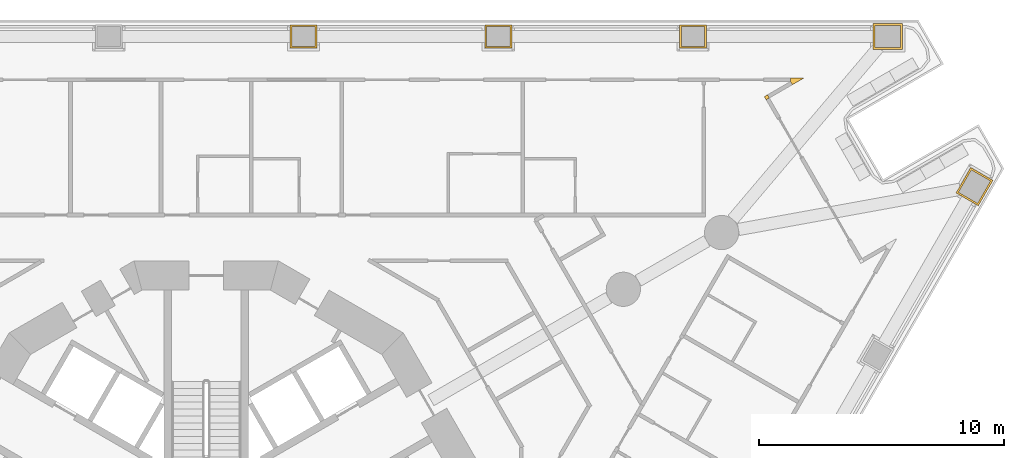
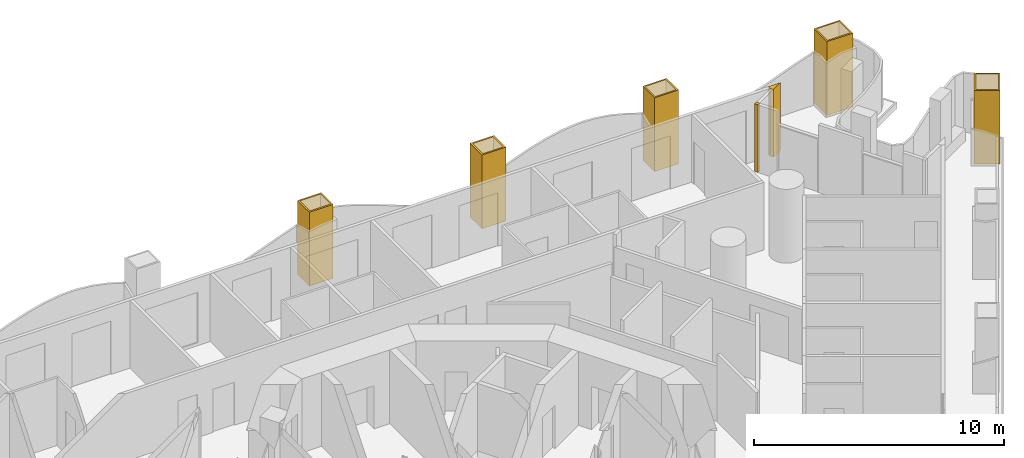
# One storey, part 19 of 20: 7 coverings.
"""IFC4 building model written with IfcOpenShell, lengths in metres."""

from ifc_helpers import new_model, si_unit, direction, frame, origin, place, context, subcontext, project, spatial, polyline, outline, extrude, material, layer, layer_set, type_object, element, save


model = new_model("IFC4")

# Units and contexts
model_context = context("Model", 3, precision=1e-05, world=origin(), true_north=direction((0.0, 1.0)))
body_context = subcontext(model_context, "Body", "Model", "MODEL_VIEW")
ifc_project = project(units=[si_unit("LENGTHUNIT", "METRE"), si_unit("AREAUNIT", "SQUARE_METRE"), si_unit("VOLUMEUNIT", "CUBIC_METRE"), si_unit("PLANEANGLEUNIT", "RADIAN"), si_unit("MASSUNIT", "GRAM", prefix="KILO")], contexts=[model_context])

# Site, building, storey
site_placement = place(None, origin())
site = spatial("IfcSite", under=ifc_project, at=site_placement, CompositionType="ELEMENT")
building_placement = place(site_placement, origin())
building = spatial("IfcBuilding", under=site, at=building_placement, Name="Trine Commons Tower", CompositionType="ELEMENT")
storey_placement = place(building_placement, frame((0.0, 0.0, 38.699951171875)))
storey = spatial("IfcBuildingStorey", under=building, at=storey_placement, Name="L08", CompositionType="ELEMENT", Elevation=38.699951171875)

# Coverings
ifc_material_1 = material(Name="Aluminium-framed insulated wall panel", Category="aluminium")
ifc_layer_1 = layer(ifc_material_1, 0.14990234375)
ifc_layer_set_1 = layer_set([ifc_layer_1], Name="Aluminium-framed insulated wall panel")
covering_type_1 = type_object("IfcCoveringType", Name="Glazing corner post, aluminium", PredefinedType="CLADDING", material=ifc_layer_set_1)
covering_1_placement = place(storey_placement, origin())
element("IfcCovering", 1, at=covering_1_placement, inside=storey, type_object=covering_type_1, Name="Glazing corner post 1-05", PredefinedType="CLADDING", context=body_context, shape_type="SweptSolid", body=[
    extrude(outline(polyline([(103.96875, 80.714599609375), (104.45361328125, 80.99462890625), (103.893798828125, 80.99462890625), (103.893798828125, 80.844482421875), (103.96875, 80.714599609375)])), origin(), (0.0, 0.0, 1.0), 3.300048828125),
])
covering_2_placement = place(storey_placement, origin())
element("IfcCovering", 2, at=covering_2_placement, inside=storey, type_object=covering_type_1, Name="Glazing corner post 1-06", PredefinedType="CLADDING", context=body_context, shape_type="SweptSolid", body=[
    extrude(outline(polyline([(102.898681640625, 80.0966796875), (103.028564453125, 80.171875), (102.95361328125, 80.3017578125), (102.823486328125, 80.226806640625), (102.898681640625, 80.0966796875)])), origin(), (0.0, 0.0, 1.0), 3.300048828125),
])
ifc_material_2 = material(Name="Limestone, honed", Category="masonry")
ifc_layer_2 = layer(ifc_material_2, 0.074951171875)
ifc_layer_set_2 = layer_set([ifc_layer_2], Name="Limestone, honed")
covering_type_2 = type_object("IfcCoveringType", Name="Limestone column cladding 75", PredefinedType="CLADDING", material=ifc_layer_set_2)
covering_3_placement = place(storey_placement, origin())
element("IfcCovering", 3, at=covering_3_placement, inside=storey, type_object=covering_type_2, Name="Limestone pier cladding 1-13", PredefinedType="CLADDING", context=body_context, shape_type="SweptSolid", body=[
    extrude(outline(polyline([(84.53173828125, 82.209716796875), (84.53173828125, 83.15966796875), (83.431640625, 83.15966796875), (83.431640625, 82.209716796875), (84.53173828125, 82.209716796875)]), holes=[polyline([(84.456787109375, 82.28466796875), (84.456787109375, 83.084716796875), (83.506591796875, 83.084716796875), (83.506591796875, 82.28466796875), (84.456787109375, 82.28466796875)])]), origin(), (0.0, 0.0, 1.0), 3.60009765625),
])
covering_4_placement = place(storey_placement, origin())
element("IfcCovering", 4, at=covering_4_placement, inside=storey, type_object=covering_type_2, Name="Limestone pier cladding 1-14", PredefinedType="CLADDING", context=body_context, shape_type="SweptSolid", body=[
    extrude(outline(polyline([(92.4951171875, 82.209716796875), (92.4951171875, 83.15966796875), (91.39501953125, 83.15966796875), (91.39501953125, 82.209716796875), (92.4951171875, 82.209716796875)]), holes=[polyline([(92.420166015625, 82.28466796875), (92.420166015625, 83.084716796875), (91.47021484375, 83.084716796875), (91.47021484375, 82.28466796875), (92.420166015625, 82.28466796875)])]), origin(), (0.0, 0.0, 1.0), 3.60009765625),
])
covering_5_placement = place(storey_placement, origin())
element("IfcCovering", 5, at=covering_5_placement, inside=storey, type_object=covering_type_2, Name="Limestone pier cladding 1-15", PredefinedType="CLADDING", context=body_context, shape_type="SweptSolid", body=[
    extrude(outline(polyline([(100.45849609375, 82.209716796875), (100.45849609375, 83.15966796875), (99.3583984375, 83.15966796875), (99.3583984375, 82.209716796875), (100.45849609375, 82.209716796875)]), holes=[polyline([(100.38330078125, 82.28466796875), (100.38330078125, 83.084716796875), (99.433349609375, 83.084716796875), (99.433349609375, 82.28466796875), (100.38330078125, 82.28466796875)])]), origin(), (0.0, 0.0, 1.0), 3.60009765625),
])
covering_6_placement = place(storey_placement, origin())
element("IfcCovering", 6, at=covering_6_placement, inside=storey, type_object=covering_type_2, Name="Limestone pier cladding 1-16", PredefinedType="CLADDING", context=body_context, shape_type="SweptSolid", body=[
    extrude(outline(polyline([(108.4716796875, 82.15966796875), (108.4716796875, 83.209716796875), (107.271728515625, 83.209716796875), (107.271728515625, 82.15966796875), (108.4716796875, 82.15966796875)]), holes=[polyline([(108.396728515625, 82.234619140625), (108.396728515625, 83.134521484375), (107.3466796875, 83.134521484375), (107.3466796875, 82.234619140625), (108.396728515625, 82.234619140625)])]), origin(), (0.0, 0.0, 1.0), 3.60009765625),
])
covering_7_placement = place(storey_placement, origin())
element("IfcCovering", 7, at=covering_7_placement, inside=storey, type_object=covering_type_2, Name="Limestone pier cladding 1-17", PredefinedType="CLADDING", context=body_context, shape_type="SweptSolid", body=[
    extrude(outline(polyline([(112.1708984375, 76.802490234375), (111.26171875, 77.327392578125), (110.66162109375, 76.288330078125), (111.571044921875, 75.76318359375), (112.1708984375, 76.802490234375)]), holes=[polyline([(112.068603515625, 76.775146484375), (111.2890625, 77.22509765625), (110.76416015625, 76.315673828125), (111.54345703125, 75.86572265625), (112.068603515625, 76.775146484375)])]), origin(), (0.0, 0.0, 1.0), 3.60009765625),
])

save(model, "model.ifc")
